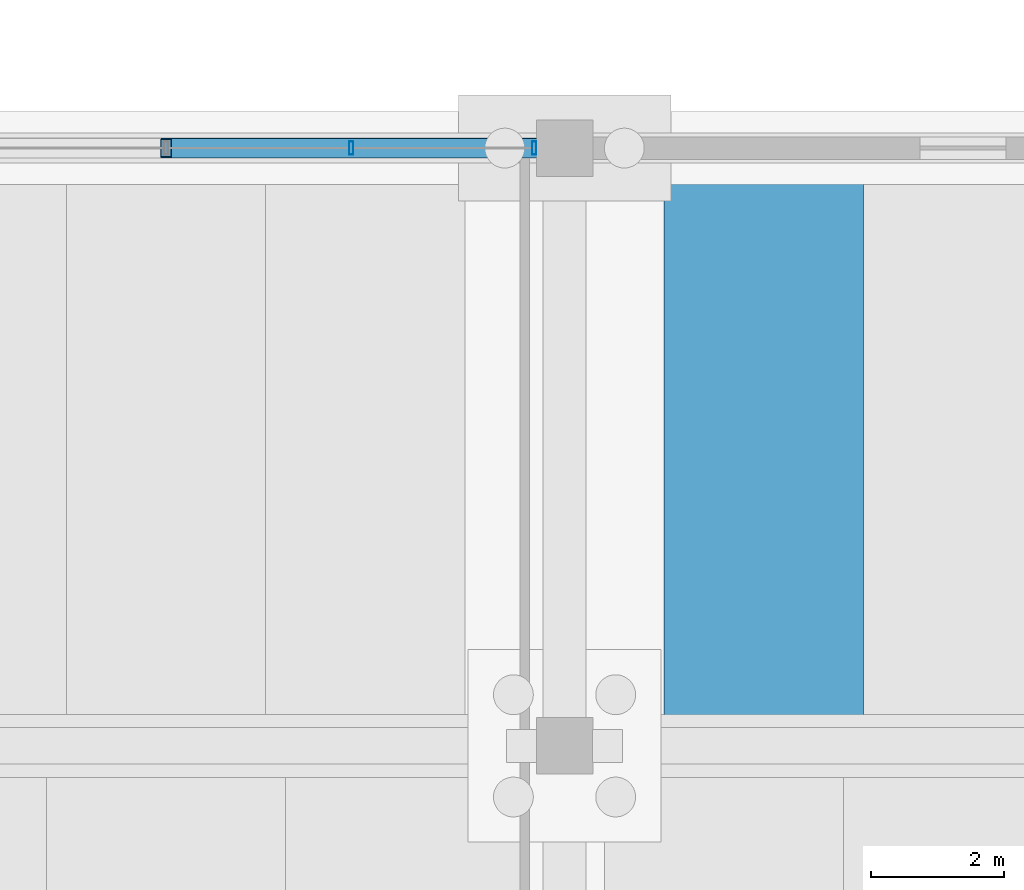
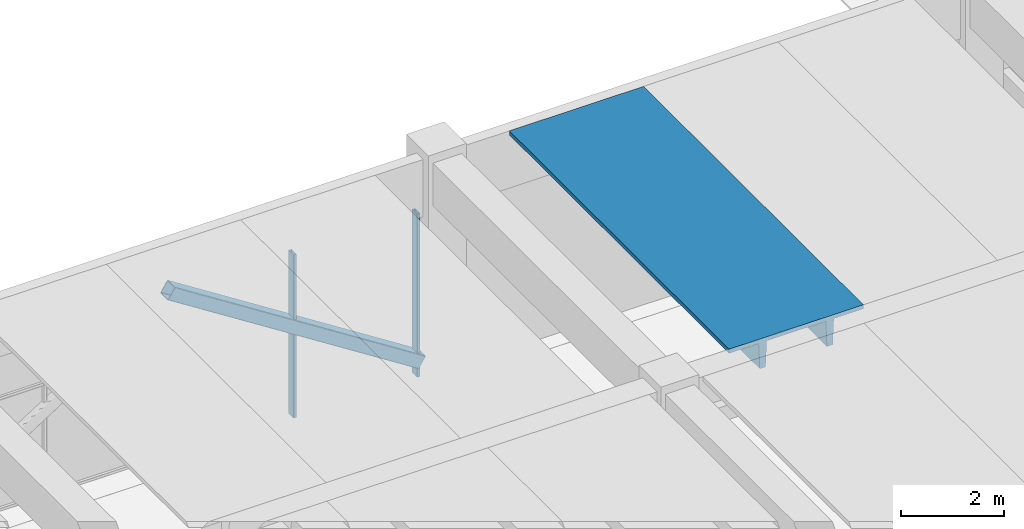
# One storey, part 21 of 59: 3 members, 1 beam, 1 element without a shape of its own.
"""IFC4 building model written with IfcOpenShell, lengths in metres."""

from ifc_helpers import new_model, si_unit, direction, frame, origin, origin_2d, place, context, subcontext, project, spatial, polyline, hollow_rectangle, outline, extrude, material, material_profile, profile_set, type_object, element, aggregate, save


model = new_model("IFC4")

# Units and contexts
model_context = context("Model", 3, precision=1e-05, world=origin(), true_north=direction((0.0, 1.0)))
body_context = subcontext(model_context, "Body", "Model", "MODEL_VIEW")
ifc_project = project(units=[si_unit("LENGTHUNIT", "METRE"), si_unit("AREAUNIT", "SQUARE_METRE"), si_unit("VOLUMEUNIT", "CUBIC_METRE"), si_unit("PLANEANGLEUNIT", "RADIAN"), si_unit("MASSUNIT", "GRAM", prefix="KILO")], contexts=[model_context])

# Site, building, storey
site_placement = place(None, origin())
site = spatial("IfcSite", under=ifc_project, at=site_placement, CompositionType="ELEMENT")
building_placement = place(site_placement, origin())
building = spatial("IfcBuilding", under=site, at=building_placement, Name="Girod Span Mobility Hub", CompositionType="ELEMENT")
storey_placement = place(building_placement, origin())
storey = spatial("IfcBuildingStorey", under=building, at=storey_placement, Name="L00", CompositionType="ELEMENT", Elevation=0.0)

# Beam
ifc_material_1 = material(Name="Concrete C50/60", Category="concrete")
ifc_material_profile_1 = material_profile(ifc_material_1, outline(polyline([(-1.5, 0.35009765625), (-1.5, 0.2548828125), (-0.840087890625, 0.2548828125), (-0.81494140625, -0.35009765625), (-0.68505859375, -0.35009765625), (-0.659912109375, 0.2548828125), (0.659912109375, 0.2548828125), (0.68505859375, -0.35009765625), (0.81494140625, -0.35009765625), (0.840087890625, 0.2548828125), (1.5, 0.2548828125), (1.5, 0.35009765625), (-1.5, 0.35009765625)])), Name="DT-3000X700")
ifc_profile_set_1 = profile_set([ifc_material_profile_1], Name="Concrete C50/60")
beam_type = type_object("IfcBeamType", Name="BM-DT-3000X700", PredefinedType="JOIST", material=ifc_profile_set_1)
beam_placement = place(storey_placement, frame((123.0, 105.27197265625, 4.85009765625), z_axis=(0.0, 1.0, 0.0), x_axis=(-1.0, 0.0, 0.0)))
element("IfcBeam", 1, at=beam_placement, inside=storey, type_object=beam_type, Name="Double-Tee Deck 11/H-1 L00", PredefinedType="JOIST", context=body_context, shape_type="SweptSolid", body=[
    extrude(outline(polyline([(-1.5, 0.35009765625), (-1.5, 0.2548828125), (-0.840087890625, 0.2548828125), (-0.81494140625, -0.35009765625), (-0.68505859375, -0.35009765625), (-0.659912109375, 0.2548828125), (0.659912109375, 0.2548828125), (0.68505859375, -0.35009765625), (0.81494140625, -0.35009765625), (0.840087890625, 0.2548828125), (1.5, 0.2548828125), (1.5, 0.35009765625), (-1.5, 0.35009765625)])), origin(), (0.0, 0.0, 1.0), 8.506103515625),
])

# Curtain wall, members
ifc_material_2 = material(Name="Thermally Broken Anodised Aluminium", Category="aluminium")
curtain_wall_type = type_object("IfcCurtainWallType", Name="CW-1115X385", PredefinedType="USERDEFINED", material=ifc_material_2)
curtain_wall_placement = place(storey_placement, origin())
curtain_wall = element("IfcCurtainWall", 2, at=curtain_wall_placement, inside=storey, type_object=curtain_wall_type, Name="Concourse Storefront CW-L00-N10 L00", ObjectType="CONCOURSE STOREFRONT", PredefinedType="USERDEFINED")
ifc_material_3 = material(Name="Thermally Broken Anodised Aluminium", Category="aluminium")
ifc_material_profile_2 = material_profile(ifc_material_3, hollow_rectangle(XDim=0.199951171875, YDim=0.06494140625, WallThickness=0.00390625, InnerFilletRadius=0.00390625, OuterFilletRadius=0.008056640625, at=origin_2d()), Name="CW-ML-65X200")
ifc_profile_set_2 = profile_set([ifc_material_profile_2], Name="Thermally Broken Anodised Aluminium")
member_type_1 = type_object("IfcMemberType", Name="CWM-ML-1", PredefinedType="MULLION", material=ifc_profile_set_2)
member_1_placement = place(storey_placement, frame((116.78857421875, 114.0, 0.0), z_axis=(0.0, 0.0, 1.0), x_axis=(0.0, 1.0, 0.0)))
member_1 = element("IfcMember", 3, at=member_1_placement, type_object=member_type_1, Name="Curtain Wall Mullion CW-L00-N10-M3", PredefinedType="MULLION", context=body_context, shape_type="SweptSolid", body=[
    extrude(hollow_rectangle(XDim=0.199951171875, YDim=0.06494140625, WallThickness=0.00390625, InnerFilletRadius=0.00390625, OuterFilletRadius=0.008056640625, at=origin_2d()), origin(), (0.0, 0.0, 1.0), 3.85009765625),
])
member_2_placement = place(storey_placement, frame((119.544921875, 114.0, 0.0), z_axis=(0.0, 0.0, 1.0), x_axis=(0.0, 1.0, 0.0)))
member_2 = element("IfcMember", 4, at=member_2_placement, type_object=member_type_1, Name="Curtain Wall Mullion CW-L00-N10-M4", PredefinedType="MULLION", context=body_context, shape_type="SweptSolid", body=[
    extrude(hollow_rectangle(XDim=0.199951171875, YDim=0.06494140625, WallThickness=0.00390625, InnerFilletRadius=0.00390625, OuterFilletRadius=0.008056640625, at=origin_2d()), origin(), (0.0, 0.0, 1.0), 3.85009765625),
])
aggregate(curtain_wall, [member_1, member_2])

# Member
ifc_material_4 = material(Name="Steel HSS A500 Grade C", Category="steel")
ifc_material_profile_3 = material_profile(ifc_material_4, hollow_rectangle(XDim=0.304931640625, YDim=0.304931640625, WallThickness=0.014892578125, InnerFilletRadius=0.014892578125, OuterFilletRadius=0.029541015625, at=origin_2d()), Name="HSS305X305X16")
ifc_profile_set_3 = profile_set([ifc_material_profile_3], Name="Steel HSS A500 Grade C")
member_type_2 = type_object("IfcMemberType", Name="MB-BR-HSS305", PredefinedType="BRACE", material=ifc_profile_set_3)
member_3_placement = place(storey_placement, frame((119.594970703125, 114.0, 0.35009765625), z_axis=(-0.842336145138, 0.0, 0.538952519796), x_axis=(0.0, -1.0, 0.0)))
element("IfcMember", 5, at=member_3_placement, inside=storey, type_object=member_type_2, Name="Perimeter Chevron Brace 10/J-R L00", PredefinedType="BRACE", context=body_context, shape_type="SweptSolid", body=[
    extrude(hollow_rectangle(XDim=0.304931640625, YDim=0.304931640625, WallThickness=0.014892578125, InnerFilletRadius=0.014892578125, OuterFilletRadius=0.029541015625, at=origin_2d()), origin(), (0.0, 0.0, 1.0), 6.64208984375),
])

save(model, "model.ifc")
